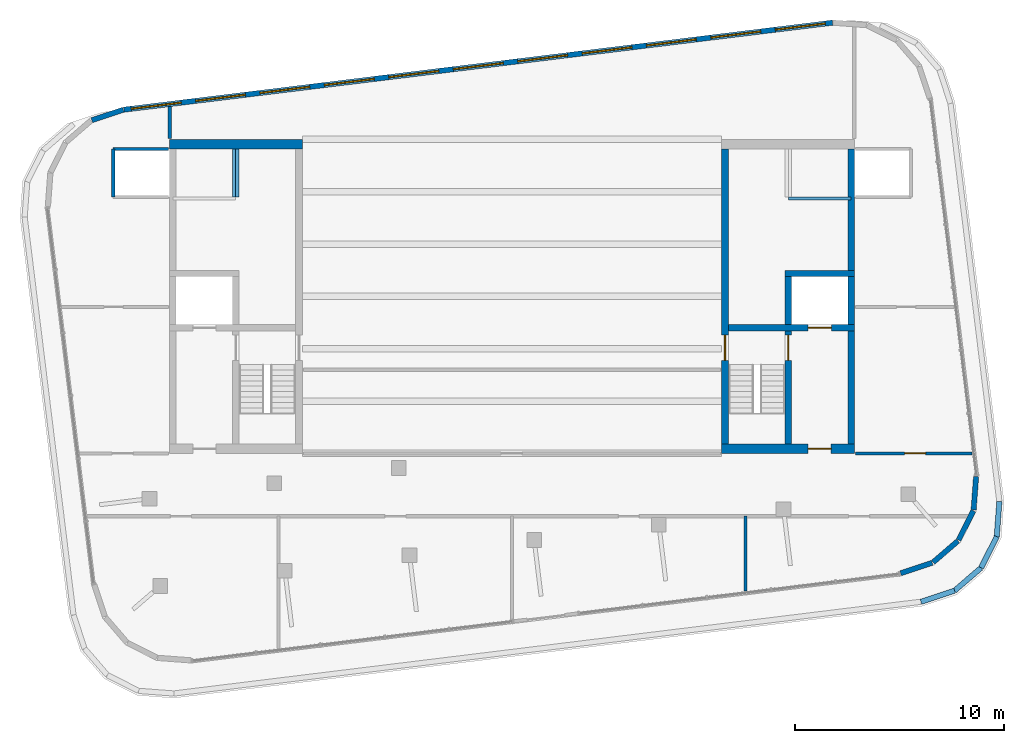
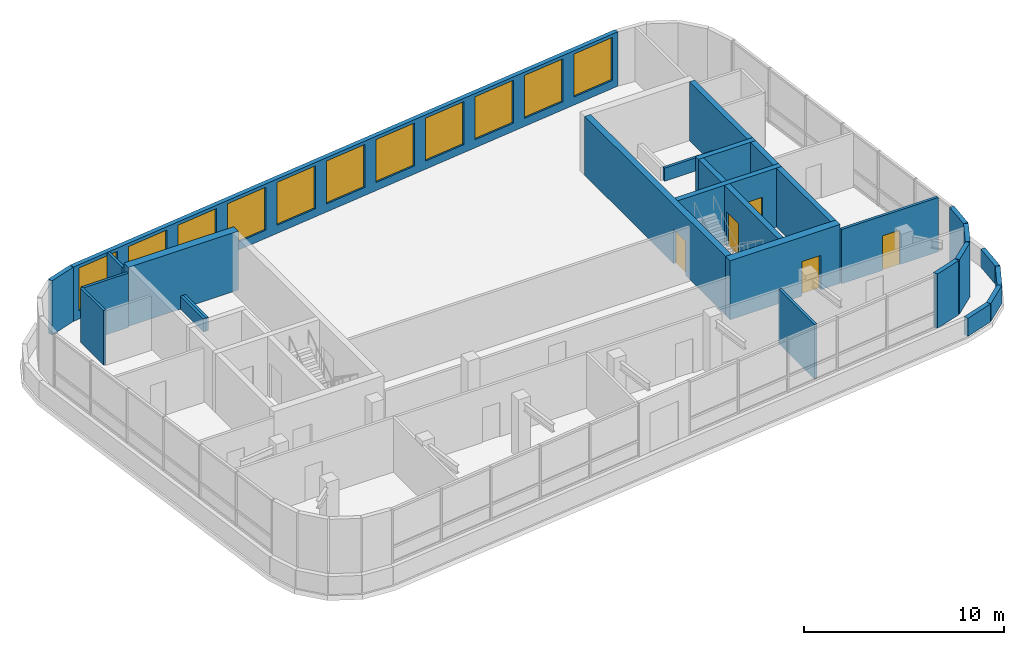
# One storey, part 6 of 8: 28 walls, 11 windows, 5 doors, 16 openings.
"""IFC4 building model written with IfcOpenShell, lengths in metres."""

from ifc_helpers import new_model, si_unit, direction, frame, frame_2d, origin, place, context, subcontext, project, spatial, rectangle, extrude, material, layer, layer_set, type_object, element, fill, save


model = new_model("IFC4")

# Units and contexts
model_context = context("Model", 3, precision=1e-05, world=origin(), true_north=direction((0.0, 1.0)))
body_context = subcontext(model_context, "Body", "Model", "MODEL_VIEW")
ifc_project = project(units=[si_unit("LENGTHUNIT", "METRE"), si_unit("AREAUNIT", "SQUARE_METRE"), si_unit("VOLUMEUNIT", "CUBIC_METRE"), si_unit("PLANEANGLEUNIT", "RADIAN"), si_unit("MASSUNIT", "GRAM", prefix="KILO")], contexts=[model_context])

# Site, building, storey
site_placement = place(None, origin())
site = spatial("IfcSite", under=ifc_project, at=site_placement, CompositionType="ELEMENT")
building_placement = place(site_placement, origin())
building = spatial("IfcBuilding", under=site, at=building_placement, Name="Torana Hotel and Residences", CompositionType="ELEMENT")
storey_placement = place(building_placement, frame((0.0, 0.0, 346.60009765625)))
storey = spatial("IfcBuildingStorey", under=building, at=storey_placement, Name="C1", CompositionType="ELEMENT", Elevation=346.60009765625)

# Walls
ifc_material_1 = material(Name="Concrete C50/60", Category="concrete")
ifc_layer_1 = layer(ifc_material_1, 0.300048828125)
ifc_layer_set_1 = layer_set([ifc_layer_1], Name="CORE WALL 300 C50/60")
wall_type_1 = type_object("IfcWallType", Name="CORE WALL 300 C50/60", PredefinedType="SHEAR", material=ifc_layer_set_1)
wall_1_placement = place(storey_placement, frame((16.199951171875, -6.25, 0.0), z_axis=(0.0, 0.0, 1.0), x_axis=(0.0, 1.0, 0.0)))
element("IfcWall", 1, at=wall_1_placement, inside=storey, type_object=wall_type_1, Name="Core wall E outer-n", PredefinedType="SHEAR", context=body_context, shape_type="SweptSolid", body=[
    extrude(rectangle(XDim=5.800048828125, YDim=0.300048828125, at=frame_2d((2.89990234375, 0.0))), origin(), (0.0, 0.0, 1.0), 3.599853515625),
])
wall_2_placement = place(storey_placement, frame((16.199951171875, -14.550048828125, 0.0), z_axis=(0.0, 0.0, 1.0), x_axis=(0.0, 1.0, 0.0)))
element("IfcWall", 2, at=wall_2_placement, inside=storey, type_object=wall_type_1, Name="Core wall E outer-s", PredefinedType="SHEAR", context=body_context, shape_type="SweptSolid", body=[
    extrude(rectangle(XDim=5.400146484375, YDim=0.300048828125, at=frame_2d((2.7001953125, 0.0))), origin(), (0.0, 0.0, 1.0), 3.599853515625),
])

# Wall, opening, door
wall_3_placement = place(storey_placement, frame((10.35009765625, -9.0, 0.0), z_axis=(0.0, 0.0, 1.0), x_axis=(1.0, 0.0, 0.0)))
wall_3 = element("IfcWall", 3, at=wall_3_placement, inside=storey, type_object=wall_type_1, Name="Core wall E band", PredefinedType="SHEAR", context=body_context, shape_type="SweptSolid", body=[
    extrude(rectangle(XDim=6.0, YDim=0.300048828125, at=frame_2d((3.0, 0.0))), origin(), (0.0, 0.0, 1.0), 3.599853515625),
])
opening_1_placement = place(wall_3_placement, frame((3.800048828125, 0.0, 0.0)))
opening_1 = element("IfcOpeningElement", 4, at=opening_1_placement, cuts=wall_3, Name="Opening LD", PredefinedType="OPENING", context=body_context, shape_type="SweptSolid", body=[
    extrude(rectangle(XDim=1.10009765625, YDim=2.10009765625, at=frame_2d((0.550048828125, 1.050048828125))), frame((0.0, 0.159912109375, 0.0), z_axis=(0.0, -1.0, 0.0), x_axis=(1.0, 0.0, 0.0)), (0.0, 0.0, 1.0), 0.320068359375),
])
ifc_material_2 = material(Name="Stainless steel 316", Category="steel")
door_type_1 = type_object("IfcDoorType", Name="LIFT LANDING DOOR LD 1100x2100", OperationType="DOUBLE_DOOR_SLIDING", PredefinedType="USERDEFINED", material=ifc_material_2)
door_1_placement = place(opening_1_placement, origin())
door_1 = element("IfcDoor", 5, at=door_1_placement, inside=storey, type_object=door_type_1, Name="Lift landing door FF2 C1", ObjectType="LIFT LANDING DOOR", OperationType="DOUBLE_DOOR_SLIDING", OverallHeight=2.10009765625, OverallWidth=1.10009765625, PredefinedType="USERDEFINED", context=body_context, shape_type="SweptSolid", body=[
    extrude(rectangle(XDim=1.10009765625, YDim=2.10009765625, at=frame_2d((0.550048828125, 1.050048828125))), frame((0.0, 0.02490234375, 0.0), z_axis=(0.0, -1.0, 0.0), x_axis=(1.0, 0.0, 0.0)), (0.0, 0.0, 1.0), 0.050048828125),
])
fill(opening_1, door_1)

wall_4_placement = place(storey_placement, frame((13.199951171875, -14.550048828125, 0.0), z_axis=(0.0, 0.0, 1.0), x_axis=(0.0, 1.0, 0.0)))
wall_4 = element("IfcWall", 6, at=wall_4_placement, inside=storey, type_object=wall_type_1, Name="Core wall E x3.05-band", PredefinedType="SHEAR", context=body_context, shape_type="SweptSolid", body=[
    extrude(rectangle(XDim=5.400146484375, YDim=0.300048828125, at=frame_2d((2.7001953125, 0.0))), origin(), (0.0, 0.0, 1.0), 3.599853515625),
])
opening_2_placement = place(wall_4_placement, frame((4.0, 0.0, 0.0)))
opening_2 = element("IfcOpeningElement", 7, at=opening_2_placement, cuts=wall_4, Name="Opening C1-06", PredefinedType="OPENING", context=body_context, shape_type="SweptSolid", body=[
    extrude(rectangle(XDim=1.199951171875, YDim=2.10009765625, at=frame_2d((0.60009765625, 1.050048828125))), frame((0.0, 0.159912109375, 0.0), z_axis=(0.0, -1.0, 0.0), x_axis=(1.0, 0.0, 0.0)), (0.0, 0.0, 1.0), 0.320068359375),
])
ifc_material_3 = material(Name="Steel S235", Category="steel")
door_type_2 = type_object("IfcDoorType", Name="STAIR FIRE DOOR D3 1200x2100", OperationType="SINGLE_SWING_LEFT", PredefinedType="DOOR", material=ifc_material_3)
door_2_placement = place(opening_2_placement, origin())
door_2 = element("IfcDoor", 8, at=door_2_placement, inside=storey, type_object=door_type_2, Name="Stair-A-lobby door C1", OperationType="SINGLE_SWING_LEFT", OverallHeight=2.10009765625, OverallWidth=1.199951171875, PredefinedType="DOOR", context=body_context, shape_type="SweptSolid", body=[
    extrude(rectangle(XDim=1.199951171875, YDim=2.10009765625, at=frame_2d((0.60009765625, 1.050048828125))), frame((0.0, 0.02490234375, 0.0), z_axis=(0.0, -1.0, 0.0), x_axis=(1.0, 0.0, 0.0)), (0.0, 0.0, 1.0), 0.050048828125),
])
fill(opening_2, door_2)

# Walls
wall_5_placement = place(storey_placement, frame((13.050048828125, -6.39990234375, 0.0), z_axis=(0.0, 0.0, 1.0), x_axis=(1.0, 0.0, 0.0)))
element("IfcWall", 9, at=wall_5_placement, inside=storey, type_object=wall_type_1, Name="Core wall E row-S", PredefinedType="SHEAR", context=body_context, shape_type="SweptSolid", body=[
    extrude(rectangle(XDim=3.300048828125, YDim=0.300048828125, at=frame_2d((1.64990234375, 0.0))), origin(), (0.0, 0.0, 1.0), 3.599853515625),
])
for number, where, z_axis, x_axis, name in (
    (10, (13.199951171875, -8.85009765625, 0.0), (0.0, 0.0, 1.0), (0.0, 1.0, 0.0), "Core wall E x3.05-S"),
    (11, (16.199951171875, -8.85009765625, 0.0), (0.0, 0.0, 1.0), (0.0, 1.0, 0.0), "Core wall E x6.05-S"),
):
    element("IfcWall", number, at=place(storey_placement, frame(where, z_axis=z_axis, x_axis=x_axis)), inside=storey, type_object=wall_type_1, Name=name, PredefinedType="SHEAR", context=body_context, shape_type="SweptSolid", body=[
        extrude(rectangle(XDim=2.300048828125, YDim=0.300048828125, at=frame_2d((1.14990234375, 0.0))), origin(), (0.0, 0.0, 1.0), 3.599853515625),
    ])

# Wall, opening, door
ifc_material_4 = material(Name="Concrete C50/60", Category="concrete")
ifc_layer_2 = layer(ifc_material_4, 0.35009765625)
ifc_layer_set_2 = layer_set([ifc_layer_2], Name="CORE WALL 350 C50/60")
wall_type_2 = type_object("IfcWallType", Name="CORE WALL 350 C50/60", PredefinedType="SHEAR", material=ifc_layer_set_2)
wall_6_placement = place(storey_placement, frame((10.175048828125, -14.550048828125, 0.0), z_axis=(0.0, 0.0, 1.0), x_axis=(0.0, 1.0, 0.0)))
wall_6 = element("IfcWall", 12, at=wall_6_placement, inside=storey, type_object=wall_type_2, Name="Core wall E arch", PredefinedType="SHEAR", context=body_context, shape_type="SweptSolid", body=[
    extrude(rectangle(XDim=14.10009765625, YDim=0.35009765625, at=frame_2d((7.050048828125, 0.0))), origin(), (0.0, 0.0, 1.0), 3.599853515625),
])
opening_3_placement = place(wall_6_placement, frame((4.0, 0.0, 0.0)))
opening_3 = element("IfcOpeningElement", 13, at=opening_3_placement, cuts=wall_6, Name="Opening C1-04", PredefinedType="OPENING", context=body_context, shape_type="SweptSolid", body=[
    extrude(rectangle(XDim=1.199951171875, YDim=2.10009765625, at=frame_2d((0.60009765625, 1.050048828125))), frame((0.0, 0.18505859375, 0.0), z_axis=(0.0, -1.0, 0.0), x_axis=(1.0, 0.0, 0.0)), (0.0, 0.0, 1.0), 0.3701171875),
])
door_3_placement = place(opening_3_placement, frame((0.60009765625, 0.0, 0.0), z_axis=(0.0, 0.0, 1.0), x_axis=(-1.0, 0.0, 0.0)))
door_3 = element("IfcDoor", 14, at=door_3_placement, inside=storey, type_object=door_type_2, Name="Stair-A door C1", OperationType="SINGLE_SWING_RIGHT", OverallHeight=2.10009765625, OverallWidth=1.199951171875, PredefinedType="DOOR", context=body_context, shape_type="SweptSolid", body=[
    extrude(rectangle(XDim=1.199951171875, YDim=2.10009765625, at=frame_2d((0.0, 1.050048828125))), frame((0.0, -0.02490234375, 0.0), z_axis=(0.0, 1.0, 0.0), x_axis=(-1.0, 0.0, 0.0)), (0.0, 0.0, 1.0), 0.050048828125),
])
fill(opening_3, door_3)

# Wall
ifc_material_5 = material(Name="Concrete C50/60", Category="concrete")
ifc_layer_3 = layer(ifc_material_5, 0.449951171875)
ifc_layer_set_3 = layer_set([ifc_layer_3], Name="CORE WALL 450 C50/60")
wall_type_3 = type_object("IfcWallType", Name="CORE WALL 450 C50/60", PredefinedType="SHEAR", material=ifc_layer_set_3)
wall_7_placement = place(storey_placement, frame((-16.35009765625, -0.22509765625, 0.0), z_axis=(0.0, 0.0, 1.0), x_axis=(1.0, 0.0, 0.0)))
element("IfcWall", 15, at=wall_7_placement, inside=storey, type_object=wall_type_3, Name="Core wall W rear", PredefinedType="SHEAR", context=body_context, shape_type="SweptSolid", body=[
    extrude(rectangle(XDim=6.35009765625, YDim=0.449951171875, at=frame_2d((3.175048828125, 0.0))), origin(), (0.0, 0.0, 1.0), 3.599853515625),
])

# Wall, opening, door
wall_8_placement = place(storey_placement, frame((10.0, -14.77490234375, 0.0), z_axis=(0.0, 0.0, 1.0), x_axis=(1.0, 0.0, 0.0)))
wall_8 = element("IfcWall", 16, at=wall_8_placement, inside=storey, type_object=wall_type_3, Name="Core wall E front", PredefinedType="SHEAR", context=body_context, shape_type="SweptSolid", body=[
    extrude(rectangle(XDim=6.35009765625, YDim=0.449951171875, at=frame_2d((3.175048828125, 0.0))), origin(), (0.0, 0.0, 1.0), 3.599853515625),
])
opening_4_placement = place(wall_8_placement, frame((4.14990234375, 0.0, 0.0)))
opening_4 = element("IfcOpeningElement", 17, at=opening_4_placement, cuts=wall_8, Name="Opening C1-05", PredefinedType="OPENING", context=body_context, shape_type="SweptSolid", body=[
    extrude(rectangle(XDim=1.10009765625, YDim=2.10009765625, at=frame_2d((0.550048828125, 1.050048828125))), frame((0.0, 0.23486328125, 0.0), z_axis=(0.0, -1.0, 0.0), x_axis=(1.0, 0.0, 0.0)), (0.0, 0.0, 1.0), 0.469970703125),
])
ifc_material_6 = material(Name="Steel S235", Category="steel")
door_type_3 = type_object("IfcDoorType", Name="FIRE-FIGHTING LOBBY DOOR D8 1100x2100", OperationType="SINGLE_SWING_LEFT", PredefinedType="DOOR", material=ifc_material_6)
door_4_placement = place(opening_4_placement, origin())
door_4 = element("IfcDoor", 18, at=door_4_placement, inside=storey, type_object=door_type_3, Name="FF-lobby door C1", OperationType="SINGLE_SWING_RIGHT", OverallHeight=2.10009765625, OverallWidth=1.10009765625, PredefinedType="DOOR", context=body_context, shape_type="SweptSolid", body=[
    extrude(rectangle(XDim=1.10009765625, YDim=2.10009765625, at=frame_2d((0.550048828125, 1.050048828125))), frame((0.0, 0.02490234375, 0.0), z_axis=(0.0, -1.0, 0.0), x_axis=(1.0, 0.0, 0.0)), (0.0, 0.0, 1.0), 0.050048828125),
])
fill(opening_4, door_4)

# Wall, openings, windows
ifc_material_7 = material(Name="Aluminium louvre wall", Category="aluminium")
ifc_layer_4 = layer(ifc_material_7, 0.25)
ifc_layer_set_4 = layer_set([ifc_layer_4], Name="EW3 LOUVRE WALL 250")
wall_type_4 = type_object("IfcWallType", Name="EW3 LOUVRE WALL 250", PredefinedType="SOLIDWALL", material=ifc_layer_set_4)
wall_9_placement = place(storey_placement, frame((15.309814453125, 5.577392578125, 0.0), z_axis=(0.0, 0.0, 1.0), x_axis=(-0.992546767322, -0.12186432898, 0.0)))
wall_9 = element("IfcWall", 19, at=wall_9_placement, inside=storey, type_object=wall_type_4, Name="Louvre wall C1 e0.4", PredefinedType="SOLIDWALL", context=body_context, shape_type="SweptSolid", body=[
    extrude(rectangle(XDim=34.103515625, YDim=0.25, at=frame_2d((17.0517578125, 0.0))), origin(), (0.0, 0.0, 1.0), 3.31982421875),
])
opening_5_placement = place(wall_9_placement, frame((0.35009765625, 0.0, 0.498046875)))
opening_5 = element("IfcOpeningElement", 20, at=opening_5_placement, cuts=wall_9, Name="Opening LV2", PredefinedType="OPENING", context=body_context, shape_type="SweptSolid", body=[
    extrude(rectangle(XDim=2.39990234375, YDim=2.6220703125, at=frame_2d((1.199951171875, 1.31103515625))), frame((0.0, 0.135009765625, 0.0), z_axis=(0.0, -1.0, 0.0), x_axis=(1.0, 0.0, 0.0)), (0.0, 0.0, 1.0), 0.27001953125),
])
opening_6_placement = place(wall_9_placement, frame((3.450439453125, 0.0, 0.498046875)))
opening_6 = element("IfcOpeningElement", 21, at=opening_6_placement, cuts=wall_9, Name="Opening LV2", PredefinedType="OPENING", context=body_context, shape_type="SweptSolid", body=[
    extrude(rectangle(XDim=2.39990234375, YDim=2.6220703125, at=frame_2d((1.199951171875, 1.31103515625))), frame((0.0, 0.135009765625, 0.0), z_axis=(0.0, -1.0, 0.0), x_axis=(1.0, 0.0, 0.0)), (0.0, 0.0, 1.0), 0.27001953125),
])
opening_7_placement = place(wall_9_placement, frame((6.55078125, 0.0, 0.498046875)))
opening_7 = element("IfcOpeningElement", 22, at=opening_7_placement, cuts=wall_9, Name="Opening LV2", PredefinedType="OPENING", context=body_context, shape_type="SweptSolid", body=[
    extrude(rectangle(XDim=2.39990234375, YDim=2.6220703125, at=frame_2d((1.199951171875, 1.31103515625))), frame((0.0, 0.135009765625, 0.0), z_axis=(0.0, -1.0, 0.0), x_axis=(1.0, 0.0, 0.0)), (0.0, 0.0, 1.0), 0.27001953125),
])
opening_8_placement = place(wall_9_placement, frame((9.651123046875, 0.0, 0.498046875)))
opening_8 = element("IfcOpeningElement", 23, at=opening_8_placement, cuts=wall_9, Name="Opening LV2", PredefinedType="OPENING", context=body_context, shape_type="SweptSolid", body=[
    extrude(rectangle(XDim=2.39990234375, YDim=2.6220703125, at=frame_2d((1.199951171875, 1.31103515625))), frame((0.0, 0.135009765625, 0.0), z_axis=(0.0, -1.0, 0.0), x_axis=(1.0, 0.0, 0.0)), (0.0, 0.0, 1.0), 0.27001953125),
])
opening_9_placement = place(wall_9_placement, frame((12.75146484375, 0.0, 0.498046875)))
opening_9 = element("IfcOpeningElement", 24, at=opening_9_placement, cuts=wall_9, Name="Opening LV2", PredefinedType="OPENING", context=body_context, shape_type="SweptSolid", body=[
    extrude(rectangle(XDim=2.39990234375, YDim=2.6220703125, at=frame_2d((1.199951171875, 1.31103515625))), frame((0.0, 0.135009765625, 0.0), z_axis=(0.0, -1.0, 0.0), x_axis=(1.0, 0.0, 0.0)), (0.0, 0.0, 1.0), 0.27001953125),
])
opening_10_placement = place(wall_9_placement, frame((15.851806640625, 0.0, 0.498046875)))
opening_10 = element("IfcOpeningElement", 25, at=opening_10_placement, cuts=wall_9, Name="Opening LV2", PredefinedType="OPENING", context=body_context, shape_type="SweptSolid", body=[
    extrude(rectangle(XDim=2.39990234375, YDim=2.6220703125, at=frame_2d((1.199951171875, 1.31103515625))), frame((0.0, 0.135009765625, 0.0), z_axis=(0.0, -1.0, 0.0), x_axis=(1.0, 0.0, 0.0)), (0.0, 0.0, 1.0), 0.27001953125),
])
opening_11_placement = place(wall_9_placement, frame((18.951904296875, 0.0, 0.498046875)))
opening_11 = element("IfcOpeningElement", 26, at=opening_11_placement, cuts=wall_9, Name="Opening LV2", PredefinedType="OPENING", context=body_context, shape_type="SweptSolid", body=[
    extrude(rectangle(XDim=2.39990234375, YDim=2.6220703125, at=frame_2d((1.199951171875, 1.31103515625))), frame((0.0, 0.135009765625, 0.0), z_axis=(0.0, -1.0, 0.0), x_axis=(1.0, 0.0, 0.0)), (0.0, 0.0, 1.0), 0.27001953125),
])
opening_12_placement = place(wall_9_placement, frame((22.05224609375, 0.0, 0.498046875)))
opening_12 = element("IfcOpeningElement", 27, at=opening_12_placement, cuts=wall_9, Name="Opening LV2", PredefinedType="OPENING", context=body_context, shape_type="SweptSolid", body=[
    extrude(rectangle(XDim=2.39990234375, YDim=2.6220703125, at=frame_2d((1.199951171875, 1.31103515625))), frame((0.0, 0.135009765625, 0.0), z_axis=(0.0, -1.0, 0.0), x_axis=(1.0, 0.0, 0.0)), (0.0, 0.0, 1.0), 0.27001953125),
])
opening_13_placement = place(wall_9_placement, frame((25.152587890625, 0.0, 0.498046875)))
opening_13 = element("IfcOpeningElement", 28, at=opening_13_placement, cuts=wall_9, Name="Opening LV2", PredefinedType="OPENING", context=body_context, shape_type="SweptSolid", body=[
    extrude(rectangle(XDim=2.39990234375, YDim=2.6220703125, at=frame_2d((1.199951171875, 1.31103515625))), frame((0.0, 0.135009765625, 0.0), z_axis=(0.0, -1.0, 0.0), x_axis=(1.0, 0.0, 0.0)), (0.0, 0.0, 1.0), 0.27001953125),
])
opening_14_placement = place(wall_9_placement, frame((28.2529296875, 0.0, 0.498046875)))
opening_14 = element("IfcOpeningElement", 29, at=opening_14_placement, cuts=wall_9, Name="Opening LV2", PredefinedType="OPENING", context=body_context, shape_type="SweptSolid", body=[
    extrude(rectangle(XDim=2.39990234375, YDim=2.6220703125, at=frame_2d((1.199951171875, 1.31103515625))), frame((0.0, 0.135009765625, 0.0), z_axis=(0.0, -1.0, 0.0), x_axis=(1.0, 0.0, 0.0)), (0.0, 0.0, 1.0), 0.27001953125),
])
opening_15_placement = place(wall_9_placement, frame((31.353271484375, 0.0, 0.498046875)))
opening_15 = element("IfcOpeningElement", 30, at=opening_15_placement, cuts=wall_9, Name="Opening LV2", PredefinedType="OPENING", context=body_context, shape_type="SweptSolid", body=[
    extrude(rectangle(XDim=2.39990234375, YDim=2.6220703125, at=frame_2d((1.199951171875, 1.31103515625))), frame((0.0, 0.135009765625, 0.0), z_axis=(0.0, -1.0, 0.0), x_axis=(1.0, 0.0, 0.0)), (0.0, 0.0, 1.0), 0.27001953125),
])
ifc_material_8 = material(Name="Aluminium louvre blades", Category="aluminium")
window_type = type_object("IfcWindowType", Name="LV2 LOUVRE 2400x3600", PartitioningType="SINGLE_PANEL", PredefinedType="USERDEFINED", material=ifc_material_8)
window_1_placement = place(opening_5_placement, origin())
window_1 = element("IfcWindow", 31, at=window_1_placement, inside=storey, type_object=window_type, Name="Louvre C1", ObjectType="LOUVRE", OverallHeight=2.6220703125, OverallWidth=2.39990234375, PartitioningType="SINGLE_PANEL", PredefinedType="USERDEFINED", context=body_context, shape_type="SweptSolid", body=[
    extrude(rectangle(XDim=2.39990234375, YDim=2.6220703125, at=frame_2d((1.199951171875, 1.31103515625))), frame((0.0, 0.030029296875, 0.0), z_axis=(0.0, -1.0, 0.0), x_axis=(1.0, 0.0, 0.0)), (0.0, 0.0, 1.0), 0.06005859375),
])
fill(opening_5, window_1)
window_2_placement = place(opening_6_placement, origin())
window_2 = element("IfcWindow", 32, at=window_2_placement, inside=storey, type_object=window_type, Name="Louvre C1", ObjectType="LOUVRE", OverallHeight=2.6220703125, OverallWidth=2.39990234375, PartitioningType="SINGLE_PANEL", PredefinedType="USERDEFINED", context=body_context, shape_type="SweptSolid", body=[
    extrude(rectangle(XDim=2.39990234375, YDim=2.6220703125, at=frame_2d((1.199951171875, 1.31103515625))), frame((0.0, 0.030029296875, 0.0), z_axis=(0.0, -1.0, 0.0), x_axis=(1.0, 0.0, 0.0)), (0.0, 0.0, 1.0), 0.06005859375),
])
fill(opening_6, window_2)
window_3_placement = place(opening_7_placement, origin())
window_3 = element("IfcWindow", 33, at=window_3_placement, inside=storey, type_object=window_type, Name="Louvre C1", ObjectType="LOUVRE", OverallHeight=2.6220703125, OverallWidth=2.39990234375, PartitioningType="SINGLE_PANEL", PredefinedType="USERDEFINED", context=body_context, shape_type="SweptSolid", body=[
    extrude(rectangle(XDim=2.39990234375, YDim=2.6220703125, at=frame_2d((1.199951171875, 1.31103515625))), frame((0.0, 0.030029296875, 0.0), z_axis=(0.0, -1.0, 0.0), x_axis=(1.0, 0.0, 0.0)), (0.0, 0.0, 1.0), 0.06005859375),
])
fill(opening_7, window_3)
window_4_placement = place(opening_8_placement, origin())
window_4 = element("IfcWindow", 34, at=window_4_placement, inside=storey, type_object=window_type, Name="Louvre C1", ObjectType="LOUVRE", OverallHeight=2.6220703125, OverallWidth=2.39990234375, PartitioningType="SINGLE_PANEL", PredefinedType="USERDEFINED", context=body_context, shape_type="SweptSolid", body=[
    extrude(rectangle(XDim=2.39990234375, YDim=2.6220703125, at=frame_2d((1.199951171875, 1.31103515625))), frame((0.0, 0.030029296875, 0.0), z_axis=(0.0, -1.0, 0.0), x_axis=(1.0, 0.0, 0.0)), (0.0, 0.0, 1.0), 0.06005859375),
])
fill(opening_8, window_4)
window_5_placement = place(opening_9_placement, origin())
window_5 = element("IfcWindow", 35, at=window_5_placement, inside=storey, type_object=window_type, Name="Louvre C1", ObjectType="LOUVRE", OverallHeight=2.6220703125, OverallWidth=2.39990234375, PartitioningType="SINGLE_PANEL", PredefinedType="USERDEFINED", context=body_context, shape_type="SweptSolid", body=[
    extrude(rectangle(XDim=2.39990234375, YDim=2.6220703125, at=frame_2d((1.199951171875, 1.31103515625))), frame((0.0, 0.030029296875, 0.0), z_axis=(0.0, -1.0, 0.0), x_axis=(1.0, 0.0, 0.0)), (0.0, 0.0, 1.0), 0.06005859375),
])
fill(opening_9, window_5)
window_6_placement = place(opening_10_placement, origin())
window_6 = element("IfcWindow", 36, at=window_6_placement, inside=storey, type_object=window_type, Name="Louvre C1", ObjectType="LOUVRE", OverallHeight=2.6220703125, OverallWidth=2.39990234375, PartitioningType="SINGLE_PANEL", PredefinedType="USERDEFINED", context=body_context, shape_type="SweptSolid", body=[
    extrude(rectangle(XDim=2.39990234375, YDim=2.6220703125, at=frame_2d((1.199951171875, 1.31103515625))), frame((0.0, 0.030029296875, 0.0), z_axis=(0.0, -1.0, 0.0), x_axis=(1.0, 0.0, 0.0)), (0.0, 0.0, 1.0), 0.06005859375),
])
fill(opening_10, window_6)
window_7_placement = place(opening_11_placement, origin())
window_7 = element("IfcWindow", 37, at=window_7_placement, inside=storey, type_object=window_type, Name="Louvre C1", ObjectType="LOUVRE", OverallHeight=2.6220703125, OverallWidth=2.39990234375, PartitioningType="SINGLE_PANEL", PredefinedType="USERDEFINED", context=body_context, shape_type="SweptSolid", body=[
    extrude(rectangle(XDim=2.39990234375, YDim=2.6220703125, at=frame_2d((1.199951171875, 1.31103515625))), frame((0.0, 0.030029296875, 0.0), z_axis=(0.0, -1.0, 0.0), x_axis=(1.0, 0.0, 0.0)), (0.0, 0.0, 1.0), 0.06005859375),
])
fill(opening_11, window_7)
window_8_placement = place(opening_12_placement, origin())
window_8 = element("IfcWindow", 38, at=window_8_placement, inside=storey, type_object=window_type, Name="Louvre C1", ObjectType="LOUVRE", OverallHeight=2.6220703125, OverallWidth=2.39990234375, PartitioningType="SINGLE_PANEL", PredefinedType="USERDEFINED", context=body_context, shape_type="SweptSolid", body=[
    extrude(rectangle(XDim=2.39990234375, YDim=2.6220703125, at=frame_2d((1.199951171875, 1.31103515625))), frame((0.0, 0.030029296875, 0.0), z_axis=(0.0, -1.0, 0.0), x_axis=(1.0, 0.0, 0.0)), (0.0, 0.0, 1.0), 0.06005859375),
])
fill(opening_12, window_8)
window_9_placement = place(opening_13_placement, origin())
window_9 = element("IfcWindow", 39, at=window_9_placement, inside=storey, type_object=window_type, Name="Louvre C1", ObjectType="LOUVRE", OverallHeight=2.6220703125, OverallWidth=2.39990234375, PartitioningType="SINGLE_PANEL", PredefinedType="USERDEFINED", context=body_context, shape_type="SweptSolid", body=[
    extrude(rectangle(XDim=2.39990234375, YDim=2.6220703125, at=frame_2d((1.199951171875, 1.31103515625))), frame((0.0, 0.030029296875, 0.0), z_axis=(0.0, -1.0, 0.0), x_axis=(1.0, 0.0, 0.0)), (0.0, 0.0, 1.0), 0.06005859375),
])
fill(opening_13, window_9)
window_10_placement = place(opening_14_placement, origin())
window_10 = element("IfcWindow", 40, at=window_10_placement, inside=storey, type_object=window_type, Name="Louvre C1", ObjectType="LOUVRE", OverallHeight=2.6220703125, OverallWidth=2.39990234375, PartitioningType="SINGLE_PANEL", PredefinedType="USERDEFINED", context=body_context, shape_type="SweptSolid", body=[
    extrude(rectangle(XDim=2.39990234375, YDim=2.6220703125, at=frame_2d((1.199951171875, 1.31103515625))), frame((0.0, 0.030029296875, 0.0), z_axis=(0.0, -1.0, 0.0), x_axis=(1.0, 0.0, 0.0)), (0.0, 0.0, 1.0), 0.06005859375),
])
fill(opening_14, window_10)
window_11_placement = place(opening_15_placement, origin())
window_11 = element("IfcWindow", 41, at=window_11_placement, inside=storey, type_object=window_type, Name="Louvre C1", ObjectType="LOUVRE", OverallHeight=2.6220703125, OverallWidth=2.39990234375, PartitioningType="SINGLE_PANEL", PredefinedType="USERDEFINED", context=body_context, shape_type="SweptSolid", body=[
    extrude(rectangle(XDim=2.39990234375, YDim=2.6220703125, at=frame_2d((1.199951171875, 1.31103515625))), frame((0.0, 0.030029296875, 0.0), z_axis=(0.0, -1.0, 0.0), x_axis=(1.0, 0.0, 0.0)), (0.0, 0.0, 1.0), 0.06005859375),
])
fill(opening_15, window_11)

# Walls
for number, where, z_axis, x_axis, name in (
    (42, (-18.5634765625, 1.416015625, 0.0), (0.0, 0.0, 1.0), (-0.949660603473, -0.313280606186, 0.0), "Louvre wall C1 e0.5"),
    (43, (18.5634765625, -20.72265625, 0.0), (0.0, 0.0, 1.0), (0.949660603473, 0.313280606186, 0.0), "Louvre wall C1 e0.15"),
):
    element("IfcWall", number, at=place(storey_placement, frame(where, z_axis=z_axis, x_axis=x_axis)), inside=storey, type_object=wall_type_4, Name=name, PredefinedType="SOLIDWALL", context=body_context, shape_type="SweptSolid", body=[
        extrude(rectangle(XDim=1.59130859375, YDim=0.25, at=frame_2d((0.795654296875, 0.0))), origin(), (0.0, 0.0, 1.0), 3.31982421875),
    ])
for number, where, z_axis, x_axis, name in (
    (44, (20.1171875, -20.2001953125, 0.0), (0.0, 0.0, 1.0), (0.757537536707, 0.652791605706, 0.0), "Louvre wall C1 e0.16"),
    (45, (21.333740234375, -19.139404296875, 0.0), (0.0, 0.0, 1.0), (0.450141479344, 0.892957249018, 0.0), "Louvre wall C1 e0.17"),
):
    element("IfcWall", number, at=place(storey_placement, frame(where, z_axis=z_axis, x_axis=x_axis)), inside=storey, type_object=wall_type_4, Name=name, PredefinedType="SOLIDWALL", context=body_context, shape_type="SweptSolid", body=[
        extrude(rectangle(XDim=1.56640625, YDim=0.25, at=frame_2d((0.783203125, 0.0))), origin(), (0.0, 0.0, 1.0), 3.31982421875),
    ])
wall_10_placement = place(storey_placement, frame((22.0517578125, -17.693603515625, 0.0), z_axis=(0.0, 0.0, 1.0), x_axis=(0.074103388081, 0.997250564239, 0.0)))
element("IfcWall", 46, at=wall_10_placement, inside=storey, type_object=wall_type_4, Name="Louvre wall C1 e0.18", PredefinedType="SOLIDWALL", context=body_context, shape_type="SweptSolid", body=[
    extrude(rectangle(XDim=1.59130859375, YDim=0.25, at=frame_2d((0.795654296875, 0.0))), origin(), (0.0, 0.0, 1.0), 3.31982421875),
])

# Wall, opening, door
ifc_material_9 = material(Name="Gypsum plaster")
ifc_layer_5 = layer(ifc_material_9, 0.014892578125, Name="Plaster", Category="finish")
ifc_material_10 = material(Name="Concrete blockwork", Category="masonry")
ifc_layer_6 = layer(ifc_material_10, 0.1201171875, Name="Blockwork", Category="structure")
ifc_layer_7 = layer(ifc_material_9, 0.014892578125, Name="Plaster", Category="finish")
ifc_layer_set_5 = layer_set([ifc_layer_5, ifc_layer_6, ifc_layer_7], Name="FIRE PARTITION 150 BLOCKWORK")
wall_type_5 = type_object("IfcWallType", Name="FIRE PARTITION 150 BLOCKWORK", PredefinedType="PARTITIONING", material=ifc_layer_set_5)
wall_11_placement = place(storey_placement, frame((16.39990234375, -15.0, 0.0), z_axis=(0.0, 0.0, 1.0), x_axis=(1.0, 0.0, 0.0)))
wall_11 = element("IfcWall", 47, at=wall_11_placement, inside=storey, type_object=wall_type_5, Name="Partition C1", PredefinedType="PARTITIONING", context=body_context, shape_type="SweptSolid", body=[
    extrude(rectangle(XDim=5.580810546875, YDim=0.14990234375, at=frame_2d((2.79052734375, 0.0))), origin(), (0.0, 0.0, 1.0), 3.31982421875),
])
opening_16_placement = place(wall_11_placement, frame((2.35595703125, 0.0, 0.0)))
opening_16 = element("IfcOpeningElement", 48, at=opening_16_placement, cuts=wall_11, Name="Opening C1-14", PredefinedType="OPENING", context=body_context, shape_type="SweptSolid", body=[
    extrude(rectangle(XDim=1.0, YDim=2.10009765625, at=frame_2d((0.5, 1.050048828125))), frame((0.0, 0.0849609375, 0.0), z_axis=(0.0, -1.0, 0.0), x_axis=(1.0, 0.0, 0.0)), (0.0, 0.0, 1.0), 0.169921875),
])
ifc_material_11 = material(Name="Steel S235", Category="steel")
door_type_4 = type_object("IfcDoorType", Name="CORE ROOM FIRE DOOR D14 1000x2100", OperationType="SINGLE_SWING_LEFT", PredefinedType="DOOR", material=ifc_material_11)
door_5_placement = place(opening_16_placement, origin())
door_5 = element("IfcDoor", 49, at=door_5_placement, inside=storey, type_object=door_type_4, Name="Door C1", OperationType="SINGLE_SWING_RIGHT", OverallHeight=2.10009765625, OverallWidth=1.0, PredefinedType="DOOR", context=body_context, shape_type="SweptSolid", body=[
    extrude(rectangle(XDim=1.0, YDim=2.10009765625, at=frame_2d((0.5, 1.050048828125))), frame((0.0, 0.02490234375, 0.0), z_axis=(0.0, -1.0, 0.0), x_axis=(1.0, 0.0, 0.0)), (0.0, 0.0, 1.0), 0.050048828125),
])
fill(opening_16, door_5)

# Walls
ifc_material_12 = material(Name="Concrete C40/50", Category="concrete")
ifc_layer_8 = layer(ifc_material_12, 0.14990234375)
ifc_layer_set_6 = layer_set([ifc_layer_8], Name="LIFT SHAFT WALL 150")
wall_type_6 = type_object("IfcWallType", Name="LIFT SHAFT WALL 150", PredefinedType="PARTITIONING", material=ifc_layer_set_6)
for number, where, z_axis, x_axis, name in (
    (50, (-13.125, -2.75, 0.0), (0.0, 0.0, 1.0), (0.0, 1.0, 0.0), "Lift shaft wall H1 C1"),
    (51, (-13.27490234375, -2.75, 0.0), (0.0, 0.0, 1.0), (0.0, 1.0, 0.0), "Lift shaft wall H2 C1"),
):
    element("IfcWall", number, at=place(storey_placement, frame(where, z_axis=z_axis, x_axis=x_axis)), inside=storey, type_object=wall_type_6, Name=name, PredefinedType="PARTITIONING", context=body_context, shape_type="SweptSolid", body=[
        extrude(rectangle(XDim=2.300048828125, YDim=0.14990234375, at=frame_2d((1.14990234375, 0.0))), origin(), (0.0, 0.0, 1.0), 0.7998046875),
    ])
wall_12_placement = place(storey_placement, frame((13.199951171875, -2.824951171875, 0.0), z_axis=(0.0, 0.0, 1.0), x_axis=(1.0, 0.0, 0.0)))
element("IfcWall", 52, at=wall_12_placement, inside=storey, type_object=wall_type_6, Name="Lift shaft wall H4 C1", PredefinedType="PARTITIONING", context=body_context, shape_type="SweptSolid", body=[
    extrude(rectangle(XDim=3.0, YDim=0.14990234375, at=frame_2d((1.5, 0.0))), origin(), (0.0, 0.0, 1.0), 0.7998046875),
])
ifc_material_13 = material(Name="Gypsum plasterboard")
ifc_layer_9 = layer(ifc_material_13, 0.012451171875, Name="Plasterboard", Category="finish")
ifc_layer_10 = layer(ifc_material_13, 0.012451171875, Name="Plasterboard", Category="finish")
ifc_material_14 = material(Name="Steel S280GD", Category="steel")
ifc_layer_11 = layer(ifc_material_14, 0.10009765625, Name="Steel studs with mineral wool", Category="insulation")
ifc_layer_12 = layer(ifc_material_13, 0.012451171875, Name="Plasterboard", Category="finish")
ifc_layer_13 = layer(ifc_material_13, 0.012451171875, Name="Plasterboard", Category="finish")
ifc_layer_set_7 = layer_set([ifc_layer_9, ifc_layer_10, ifc_layer_11, ifc_layer_12, ifc_layer_13], Name="PARTITION 150 PLASTERBOARD")
wall_type_7 = type_object("IfcWallType", Name="PARTITION 150 PLASTERBOARD", PredefinedType="PARTITIONING", material=ifc_layer_set_7)
wall_13_placement = place(storey_placement, frame((11.14794921875, -21.580078125, 0.0), z_axis=(0.0, 0.0, 1.0), x_axis=(0.0, 1.0, 0.0)))
element("IfcWall", 53, at=wall_13_placement, inside=storey, type_object=wall_type_7, Name="Partition C1", PredefinedType="PARTITIONING", context=body_context, shape_type="SweptSolid", body=[
    extrude(rectangle(XDim=3.580078125, YDim=0.14990234375, at=frame_2d((1.7900390625, 0.0))), origin(), (0.0, 0.0, 1.0), 3.31982421875),
])
wall_14_placement = place(storey_placement, frame((-16.35009765625, 0.050048828125, 0.0), z_axis=(0.0, 0.0, 1.0), x_axis=(0.0, 1.0, 0.0)))
element("IfcWall", 54, at=wall_14_placement, inside=storey, type_object=wall_type_7, Name="Partition C1", PredefinedType="PARTITIONING", context=body_context, shape_type="SweptSolid", body=[
    extrude(rectangle(XDim=1.524169921875, YDim=0.14990234375, at=frame_2d((0.76220703125, 0.0))), origin(), (0.0, 0.0, 1.0), 3.31982421875),
])
wall_15_placement = place(storey_placement, frame((-19.050048828125, -2.75, 0.0), z_axis=(0.0, 0.0, 1.0), x_axis=(0.0, 1.0, 0.0)))
element("IfcWall", 55, at=wall_15_placement, inside=storey, type_object=wall_type_7, Name="Partition C1", PredefinedType="PARTITIONING", context=body_context, shape_type="SweptSolid", body=[
    extrude(rectangle(XDim=2.300048828125, YDim=0.14990234375, at=frame_2d((1.14990234375, 0.0))), origin(), (0.0, 0.0, 1.0), 3.31982421875),
])
wall_16_placement = place(storey_placement, frame((-19.050048828125, -0.449951171875, 0.0), z_axis=(0.0, 0.0, 1.0), x_axis=(1.0, 0.0, 0.0)))
element("IfcWall", 56, at=wall_16_placement, inside=storey, type_object=wall_type_7, Name="Partition C1", PredefinedType="PARTITIONING", context=body_context, shape_type="SweptSolid", body=[
    extrude(rectangle(XDim=2.650146484375, YDim=0.14990234375, at=frame_2d((1.3251953125, 0.0))), origin(), (0.0, 0.0, 1.0), 3.31982421875),
])
ifc_material_15 = material(Name="Aluminium coping with drip", Category="aluminium")
ifc_layer_14 = layer(ifc_material_15, 0.0029296875, Name="Coping flashing", Category="flashing")
ifc_material_16 = material(Name="Concrete C40/50 precast", Category="concrete")
ifc_layer_15 = layer(ifc_material_16, 0.00390625, Name="Cladding", Category="cladding")
ifc_material_17 = material(Name="Concrete C40/50", Category="concrete")
ifc_layer_16 = layer(ifc_material_17, 0.199951171875, Name="Wall", Category="structure")
ifc_material_18 = material(Name="Mineral wool insulation")
ifc_layer_17 = layer(ifc_material_18, 0.0400390625, Name="Insulation", Category="insulation")
ifc_material_19 = material(Name="Waterproofing upstand")
ifc_layer_18 = layer(ifc_material_19, 0.0029296875, Name="Upstand membrane", Category="membrane")
ifc_layer_set_8 = layer_set([ifc_layer_14, ifc_layer_15, ifc_layer_16, ifc_layer_17, ifc_layer_18], Name="PP1 PARAPET 250")
wall_type_8 = type_object("IfcWallType", Name="PP1 PARAPET 250", PredefinedType="PARAPET", material=ifc_layer_set_8)
wall_17_placement = place(storey_placement, frame((23.28125, -17.291748046875, 0.0), z_axis=(0.0, 0.0, 1.0), x_axis=(-0.074089798327, -0.997251573969, 0.0)))
element("IfcWall", 57, at=wall_17_placement, inside=storey, type_object=wall_type_8, Name="Roof parapet C1 5", PredefinedType="PARAPET", context=body_context, shape_type="SweptSolid", body=[
    extrude(rectangle(XDim=1.6904296875, YDim=0.25, at=frame_2d((0.84521484375, 0.0))), origin(), (0.0, 0.0, 1.0), 1.099853515625),
])
for number, where, z_axis, x_axis, name in (
    (58, (23.156005859375, -18.9775390625, 0.0), (0.0, 0.0, 1.0), (-0.450137976098, -0.892959015003, 0.0), "Roof parapet C1 6"),
    (59, (22.405029296875, -20.46728515625, 0.0), (0.0, 0.0, 1.0), (-0.757622050316, -0.652693518333, 0.0), "Roof parapet C1 7"),
):
    element("IfcWall", number, at=place(storey_placement, frame(where, z_axis=z_axis, x_axis=x_axis)), inside=storey, type_object=wall_type_8, Name=name, PredefinedType="PARAPET", context=body_context, shape_type="SweptSolid", body=[
        extrude(rectangle(XDim=1.668212890625, YDim=0.25, at=frame_2d((0.833984375, 0.0))), origin(), (0.0, 0.0, 1.0), 1.099853515625),
    ])
wall_18_placement = place(storey_placement, frame((21.14111328125, -21.55615234375, 0.0), z_axis=(0.0, 0.0, 1.0), x_axis=(-0.949660881152, -0.313279764444, 0.0)))
element("IfcWall", 60, at=wall_18_placement, inside=storey, type_object=wall_type_8, Name="Roof parapet C1 8", PredefinedType="PARAPET", context=body_context, shape_type="SweptSolid", body=[
    extrude(rectangle(XDim=1.6904296875, YDim=0.25, at=frame_2d((0.84521484375, 0.0))), origin(), (0.0, 0.0, 1.0), 1.099853515625),
])

save(model, "model.ifc")
